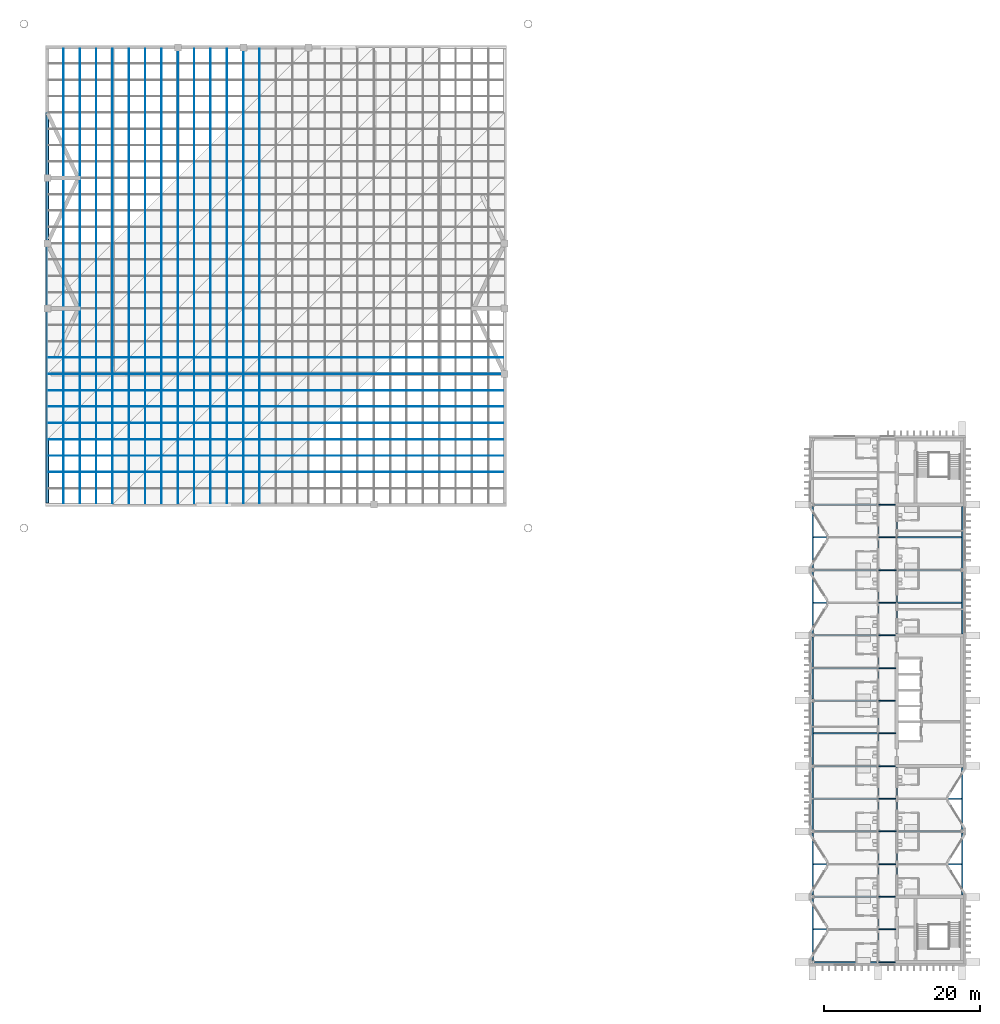
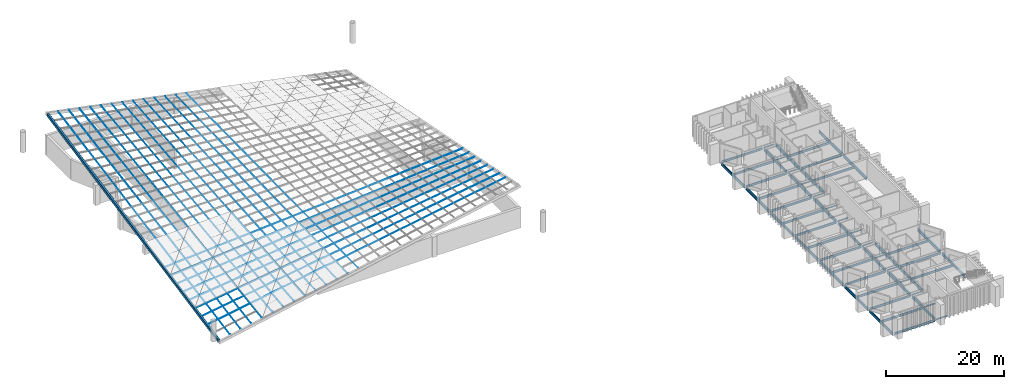
# One storey, part 8 of 20: 58 beams, 22 members.
"""IFC4 building model written with IfcOpenShell, lengths in metres."""

import ifcopenshell
import ifcopenshell.guid

model = None  # the IFC model being written
_history = None  # IfcOwnerHistory: only IFC2X3 demands one
_inside = {}  # id of a spatial element -> (the spatial element, [elements in it])
_under = {}  # id of a project, library or spatial element -> (it, [spatial elements below it])
_declared = {}  # id of a project -> (the project, [libraries it declares])
_typed = {}  # id of a type object -> (the type object, [elements of that type])
_made_of = {}  # id of a material, layer set ... -> (it, [elements and type objects made of it])


def new_model(schema):
    """Start an empty IFC model of exactly this schema.

    Asked for "IFC4X3", IfcOpenShell would pick the latest addendum, in which some entities
    have other attributes; the version numbers below select the first issue.
    IFC2X3 requires an IfcOwnerHistory on every rooted entity: one is made here for all.
    """
    global model, _history
    if schema == "IFC4X3":
        model = ifcopenshell.file(schema_version=(4, 3, 0, 0))
    else:
        model = ifcopenshell.file(schema=schema)
    _inside.clear()
    _under.clear()
    _declared.clear()
    _typed.clear()
    _made_of.clear()
    _history = None
    if model.schema == "IFC2X3":
        org = make("IfcOrganization", Name="unknown")
        user = make(
            "IfcPersonAndOrganization",
            ThePerson=make("IfcPerson", FamilyName="unknown"),
            TheOrganization=org,
        )
        app = make(
            "IfcApplication",
            ApplicationDeveloper=org,
            Version="unknown",
            ApplicationFullName="unknown",
            ApplicationIdentifier="unknown",
        )
        _history = make(
            "IfcOwnerHistory",
            OwningUser=user,
            OwningApplication=app,
            ChangeAction="ADDED",
            CreationDate=0,
        )
    return model


def make(cls, **values):
    """One entity of the class cls with the attributes given. An attribute that is None is left unset."""
    return model.create_entity(
        cls, **{name: value for name, value in values.items() if value is not None}
    )


def rooted(cls, **values):
    """An entity with a GlobalId (a new one), such as an element, a storey or a relation."""
    return make(cls, GlobalId=ifcopenshell.guid.new(), OwnerHistory=_history, **values)


def si_unit(unit_type, name, prefix=None):
    """IfcSIUnit, for example si_unit("LENGTHUNIT", "METRE", prefix="MILLI")."""
    return make("IfcSIUnit", UnitType=unit_type, Prefix=prefix, Name=name)


def assignment(units):
    """IfcUnitAssignment: the units of a project."""
    return None if units is None else make("IfcUnitAssignment", Units=units)


def point(xyz):
    """IfcCartesianPoint."""
    return None if xyz is None else make("IfcCartesianPoint", Coordinates=xyz)


def direction(xyz):
    """IfcDirection."""
    return None if xyz is None else make("IfcDirection", DirectionRatios=xyz)


def frame(location, z_axis=None, x_axis=None):
    """IfcAxis2Placement3D, a coordinate frame: its origin and axes. An axis left out is left unset."""
    return make(
        "IfcAxis2Placement3D",
        Location=point(location),
        Axis=direction(z_axis),
        RefDirection=direction(x_axis),
    )


def frame_2d(location, x_axis=None):
    """IfcAxis2Placement2D, a coordinate frame in the plane: its origin and x axis."""
    return make(
        "IfcAxis2Placement2D", Location=point(location), RefDirection=direction(x_axis)
    )


def origin():
    """The frame at (0, 0, 0) with its axes left unset."""
    return frame((0.0, 0.0, 0.0))


def origin_2d():
    """The frame at (0, 0) in the plane with its x axis left unset."""
    return frame_2d((0.0, 0.0))


def place(relative_to, where):
    """IfcLocalPlacement: puts the frame where relative to a parent placement (None: the world)."""
    return make(
        "IfcLocalPlacement", PlacementRelTo=relative_to, RelativePlacement=where
    )


def context(
    kind, dimensions, precision=None, world=None, true_north=None, identifier=None
):
    """IfcGeometricRepresentationContext, for example the 3D "Model" context."""
    return make(
        "IfcGeometricRepresentationContext",
        ContextIdentifier=identifier,
        ContextType=kind,
        CoordinateSpaceDimension=dimensions,
        Precision=precision,
        WorldCoordinateSystem=world,
        TrueNorth=true_north,
    )


def subcontext(parent, identifier, kind, view, scale=None):
    """IfcGeometricRepresentationSubContext, for example "Body" below "Model"."""
    return make(
        "IfcGeometricRepresentationSubContext",
        ContextIdentifier=identifier,
        ContextType=kind,
        ParentContext=parent,
        TargetScale=scale,
        TargetView=view,
    )


def project(units=None, contexts=None):
    """IfcProject with its units and contexts."""
    return rooted(
        "IfcProject",
        Name="project",
        RepresentationContexts=contexts,
        UnitsInContext=assignment(units),
    )


def spatial(cls, under=None, at=None, **own):
    """A site, building, storey or space (cls), placed at a placement, below another one or the project."""
    s = rooted(cls, ObjectPlacement=at, **own)
    if under is not None:
        _under.setdefault(under.id(), (under, []))[1].append(s)
    return s


def profile(cls, at=None, kind="AREA", **sizes):
    """A parametric profile (cls). Its sizes go by their IFC names, for example OverallWidth=200.0."""
    return make(cls, ProfileType=kind, Position=at, **sizes)


def hollow_rectangle(**sizes):
    """IfcRectangleHollowProfileDef."""
    return profile("IfcRectangleHollowProfileDef", **sizes)


def circle(**sizes):
    """IfcCircleProfileDef."""
    return profile("IfcCircleProfileDef", **sizes)


def i_section(**sizes):
    """IfcIShapeProfileDef."""
    return profile("IfcIShapeProfileDef", **sizes)


def extrude(swept, where, along, depth):
    """IfcExtrudedAreaSolid: the profile swept, set in the frame where, extruded along a direction by depth."""
    return make(
        "IfcExtrudedAreaSolid",
        SweptArea=swept,
        Position=where,
        ExtrudedDirection=direction(along),
        Depth=depth,
    )


def shape(context_of_items, identifier, shape_type, items):
    """IfcShapeRepresentation: the items that make up one representation, for example the "Body"."""
    return make(
        "IfcShapeRepresentation",
        ContextOfItems=context_of_items,
        RepresentationIdentifier=identifier,
        RepresentationType=shape_type,
        Items=items,
    )


def material(Name=None, Category=None):
    """IfcMaterial."""
    return make("IfcMaterial", Name=Name, Category=Category)


def material_profile(
    of_material, cross_section, Name=None, Category=None, Priority=None
):
    """IfcMaterialProfile: a cross section and its material."""
    return make(
        "IfcMaterialProfile",
        Name=Name,
        Material=of_material,
        Profile=cross_section,
        Priority=Priority,
        Category=Category,
    )


def profile_set(profiles, Name=None, composite=None):
    """IfcMaterialProfileSet."""
    return make(
        "IfcMaterialProfileSet",
        Name=Name,
        MaterialProfiles=profiles,
        CompositeProfile=composite,
    )


def made_of(thing, what):
    """Note that an element or type object is made of a material, layer set ...; save() writes the relation."""
    if what is not None:
        _made_of.setdefault(what.id(), (what, []))[1].append(thing)
    return thing


def type_object(cls, material=None, **own):
    """A type object (cls), such as IfcWallType, which elements share."""
    return made_of(rooted(cls, **own), material)


def element(
    cls,
    number,
    at=None,
    inside=None,
    cuts=None,
    type_object=None,
    material=None,
    context=None,
    identifier="Body",
    shape_type=None,
    held_by="IfcProductDefinitionShape",
    body=None,
    shapes=None,
    **own,
):
    """One element of the class cls, such as IfcWall. Its Tag is "e" and its number.

    at: its placement. inside: the storey or other place that contains it. cuts: it is an
    opening in that element (IfcRelVoidsElement). A single representation is given by context,
    identifier, shape_type and body (its items); several are given by shapes. held_by: the class
    of the entity that holds the representations. save() writes the other relations.
    """
    e = rooted(cls, Tag="e%d" % number, ObjectPlacement=at, **own)
    if body is not None:
        shapes = [shape(context, identifier, shape_type, body)]
    if shapes is not None:
        e.Representation = make(held_by, Representations=shapes)
    if inside is not None:
        _inside.setdefault(inside.id(), (inside, []))[1].append(e)
    if cuts is not None:
        rooted(
            "IfcRelVoidsElement", RelatingBuildingElement=cuts, RelatedOpeningElement=e
        )
    if type_object is not None:
        _typed.setdefault(type_object.id(), (type_object, []))[1].append(e)
    return made_of(e, material)


def aggregate(whole, parts):
    """IfcRelAggregates: a whole, such as a stair, and the parts it consists of."""
    return rooted("IfcRelAggregates", RelatingObject=whole, RelatedObjects=parts)


def save(model, path):
    """Write the relations noted so far, then the file.

    IfcRelAggregates (storeys below a building ...), IfcRelContainedInSpatialStructure (elements
    in a storey), IfcRelDefinesByType, IfcRelAssociatesMaterial and IfcRelDeclares: one each for
    every whole, place, type object, material and project.
    """
    for whole, parts in _under.values():
        aggregate(whole, parts)
    for where, things in _inside.values():
        rooted(
            "IfcRelContainedInSpatialStructure",
            RelatedElements=things,
            RelatingStructure=where,
        )
    for kind, things in _typed.values():
        rooted("IfcRelDefinesByType", RelatedObjects=things, RelatingType=kind)
    for what, things in _made_of.values():
        rooted("IfcRelAssociatesMaterial", RelatedObjects=things, RelatingMaterial=what)
    for by, libraries in _declared.values():
        rooted("IfcRelDeclares", RelatingContext=by, RelatedDefinitions=libraries)
    model.write(path)


model = new_model("IFC4")

# Units and contexts
model_context = context("Model", 3, precision=1e-05, world=origin(), true_north=direction((0.0, 1.0)))
body_context = subcontext(model_context, "Body", "Model", "MODEL_VIEW")
ifc_project = project(units=[si_unit("LENGTHUNIT", "METRE"), si_unit("AREAUNIT", "SQUARE_METRE"), si_unit("VOLUMEUNIT", "CUBIC_METRE"), si_unit("PLANEANGLEUNIT", "RADIAN"), si_unit("MASSUNIT", "GRAM", prefix="KILO")], contexts=[model_context])

# Site, building, storey
site_placement = place(None, origin())
site = spatial("IfcSite", under=ifc_project, at=site_placement, CompositionType="ELEMENT")
building_placement = place(site_placement, origin())
building = spatial("IfcBuilding", under=site, at=building_placement, Name="Cresset Court Congress Hotel", CompositionType="ELEMENT")
storey_placement = place(building_placement, frame((0.0, 0.0, 27.0)))
storey = spatial("IfcBuildingStorey", under=building, at=storey_placement, Name="L06", CompositionType="ELEMENT", Elevation=27.0)

# Members
ifc_material_1 = material(Name="Structural steel Q355B", Category="steel")
ifc_material_profile_1 = material_profile(ifc_material_1, circle(Radius=0.02392578125, at=origin_2d()), Name="CABLE48")
ifc_profile_set_1 = profile_set([ifc_material_profile_1], Name="Structural steel Q355B")
member_type_1 = type_object("IfcMemberType", Name="Net cable 48", PredefinedType="USERDEFINED", material=ifc_profile_set_1)
member_1_placement = place(storey_placement, frame((59.00390625, 63.0, -2.1220703125), z_axis=(0.98552620283, 0.0, 0.169523165188), x_axis=(0.0, 1.0, 0.0)))
element("IfcMember", 1, at=member_1_placement, inside=storey, type_object=member_type_1, Name="Net cable CB-X02", ObjectType="CABLE", PredefinedType="USERDEFINED", context=body_context, shape_type="SweptSolid", body=[
    extrude(circle(Radius=0.02392578125, at=origin_2d()), origin(), (0.0, 0.0, 1.0), 59.249755859375),
])
member_2_placement = place(storey_placement, frame((59.00390625, 65.10009765625, -1.70361328125), z_axis=(0.98779559324, 0.0, 0.155755789542), x_axis=(0.0, 1.0, 0.0)))
element("IfcMember", 2, at=member_2_placement, inside=storey, type_object=member_type_1, Name="Net cable CB-X03", ObjectType="CABLE", PredefinedType="USERDEFINED", context=body_context, shape_type="SweptSolid", body=[
    extrude(circle(Radius=0.02392578125, at=origin_2d()), origin(), (0.0, 0.0, 1.0), 59.113525390625),
])
member_3_placement = place(storey_placement, frame((59.00390625, 67.199951171875, -1.28515625), z_axis=(0.989882002412, 0.0, 0.141892992427), x_axis=(0.0, 1.0, 0.0)))
element("IfcMember", 3, at=member_3_placement, inside=storey, type_object=member_type_1, Name="Net cable CB-X04", ObjectType="CABLE", PredefinedType="USERDEFINED", context=body_context, shape_type="SweptSolid", body=[
    extrude(circle(Radius=0.02392578125, at=origin_2d()), origin(), (0.0, 0.0, 1.0), 58.989013671875),
])
member_4_placement = place(storey_placement, frame((59.00390625, 69.300048828125, -0.866455078125), z_axis=(0.99178110897, 0.0, 0.127946207018), x_axis=(0.0, 1.0, 0.0)))
element("IfcMember", 4, at=member_4_placement, inside=storey, type_object=member_type_1, Name="Net cable CB-X05", ObjectType="CABLE", PredefinedType="USERDEFINED", context=body_context, shape_type="SweptSolid", body=[
    extrude(circle(Radius=0.02392578125, at=origin_2d()), origin(), (0.0, 0.0, 1.0), 58.8759765625),
])
member_5_placement = place(storey_placement, frame((59.00390625, 71.39990234375, -0.447998046875), z_axis=(0.993489099968, 0.0, 0.113927205904), x_axis=(0.0, 1.0, 0.0)))
element("IfcMember", 5, at=member_5_placement, inside=storey, type_object=member_type_1, Name="Net cable CB-X06", ObjectType="CABLE", PredefinedType="USERDEFINED", context=body_context, shape_type="SweptSolid", body=[
    extrude(circle(Radius=0.02392578125, at=origin_2d()), origin(), (0.0, 0.0, 1.0), 58.774658203125),
])
member_6_placement = place(storey_placement, frame((59.00390625, 73.5, -0.029541015625), z_axis=(0.995003522598, 0.0, 0.099839821799), x_axis=(0.0, 1.0, 0.0)))
element("IfcMember", 6, at=member_6_placement, inside=storey, type_object=member_type_1, Name="Net cable CB-X07", ObjectType="CABLE", PredefinedType="USERDEFINED", context=body_context, shape_type="SweptSolid", body=[
    extrude(circle(Radius=0.02392578125, at=origin_2d()), origin(), (0.0, 0.0, 1.0), 58.685302734375),
])
member_7_placement = place(storey_placement, frame((59.00390625, 75.60009765625, 0.388916015625), z_axis=(0.996321663118, 0.0, 0.085692144347), x_axis=(0.0, 1.0, 0.0)))
element("IfcMember", 7, at=member_7_placement, inside=storey, type_object=member_type_1, Name="Net cable CB-X08", ObjectType="CABLE", PredefinedType="USERDEFINED", context=body_context, shape_type="SweptSolid", body=[
    extrude(circle(Radius=0.02392578125, at=origin_2d()), origin(), (0.0, 0.0, 1.0), 58.607666015625),
])
member_8_placement = place(storey_placement, frame((59.00390625, 77.699951171875, 0.807373046875), z_axis=(0.997441438818, 0.0, 0.071488293645), x_axis=(0.0, 1.0, 0.0)))
element("IfcMember", 8, at=member_8_placement, inside=storey, type_object=member_type_1, Name="Net cable CB-X09", ObjectType="CABLE", PredefinedType="USERDEFINED", context=body_context, shape_type="SweptSolid", body=[
    extrude(circle(Radius=0.02392578125, at=origin_2d()), origin(), (0.0, 0.0, 1.0), 58.5419921875),
])
member_9_placement = place(storey_placement, frame((60.89990234375, 59.00390625, -2.491455078125), z_axis=(0.0, 0.983077152498, 0.183192009205), x_axis=(-1.0, 0.0, 0.0)))
element("IfcMember", 9, at=member_9_placement, inside=storey, type_object=member_type_1, Name="Net cable CB-Y01", ObjectType="CABLE", PredefinedType="USERDEFINED", context=body_context, shape_type="SweptSolid", body=[
    extrude(circle(Radius=0.02392578125, at=origin_2d()), origin(), (0.0, 0.0, 1.0), 59.397216796875),
])
member_10_placement = place(storey_placement, frame((63.0, 59.00390625, -2.072998046875), z_axis=(0.0, 0.985526891239, 0.169519163059), x_axis=(-1.0, 0.0, 0.0)))
element("IfcMember", 10, at=member_10_placement, inside=storey, type_object=member_type_1, Name="Net cable CB-Y02", ObjectType="CABLE", PredefinedType="USERDEFINED", context=body_context, shape_type="SweptSolid", body=[
    extrude(circle(Radius=0.02392578125, at=origin_2d()), origin(), (0.0, 0.0, 1.0), 59.24951171875),
])
member_11_placement = place(storey_placement, frame((65.10009765625, 59.00390625, -1.654541015625), z_axis=(0.0, 0.987796228657, 0.155751759703), x_axis=(-1.0, 0.0, 0.0)))
element("IfcMember", 11, at=member_11_placement, inside=storey, type_object=member_type_1, Name="Net cable CB-Y03", ObjectType="CABLE", PredefinedType="USERDEFINED", context=body_context, shape_type="SweptSolid", body=[
    extrude(circle(Radius=0.02392578125, at=origin_2d()), origin(), (0.0, 0.0, 1.0), 59.113525390625),
])
member_12_placement = place(storey_placement, frame((67.199951171875, 59.00390625, -1.236083984375), z_axis=(0.0, 0.989882002412, 0.141892992427), x_axis=(-1.0, 0.0, 0.0)))
element("IfcMember", 12, at=member_12_placement, inside=storey, type_object=member_type_1, Name="Net cable CB-Y04", ObjectType="CABLE", PredefinedType="USERDEFINED", context=body_context, shape_type="SweptSolid", body=[
    extrude(circle(Radius=0.02392578125, at=origin_2d()), origin(), (0.0, 0.0, 1.0), 58.989013671875),
])
member_13_placement = place(storey_placement, frame((69.300048828125, 59.00390625, -0.817626953125), z_axis=(0.0, 0.991780582769, 0.127950285825), x_axis=(-1.0, 0.0, 0.0)))
element("IfcMember", 13, at=member_13_placement, inside=storey, type_object=member_type_1, Name="Net cable CB-Y05", ObjectType="CABLE", PredefinedType="USERDEFINED", context=body_context, shape_type="SweptSolid", body=[
    extrude(circle(Radius=0.02392578125, at=origin_2d()), origin(), (0.0, 0.0, 1.0), 58.8759765625),
])
member_14_placement = place(storey_placement, frame((71.39990234375, 59.00390625, -0.39892578125), z_axis=(0.0, 0.993489099968, 0.113927205904), x_axis=(-1.0, 0.0, 0.0)))
element("IfcMember", 14, at=member_14_placement, inside=storey, type_object=member_type_1, Name="Net cable CB-Y06", ObjectType="CABLE", PredefinedType="USERDEFINED", context=body_context, shape_type="SweptSolid", body=[
    extrude(circle(Radius=0.02392578125, at=origin_2d()), origin(), (0.0, 0.0, 1.0), 58.774658203125),
])
member_15_placement = place(storey_placement, frame((73.5, 59.00390625, 0.01953125), z_axis=(0.0, 0.995003935865, 0.099835703099), x_axis=(-1.0, 0.0, 0.0)))
element("IfcMember", 15, at=member_15_placement, inside=storey, type_object=member_type_1, Name="Net cable CB-Y07", ObjectType="CABLE", PredefinedType="USERDEFINED", context=body_context, shape_type="SweptSolid", body=[
    extrude(circle(Radius=0.02392578125, at=origin_2d()), origin(), (0.0, 0.0, 1.0), 58.685302734375),
])
member_16_placement = place(storey_placement, frame((75.60009765625, 59.00390625, 0.43798828125), z_axis=(0.0, 0.996322018762, 0.085688009257), x_axis=(-1.0, 0.0, 0.0)))
element("IfcMember", 16, at=member_16_placement, inside=storey, type_object=member_type_1, Name="Net cable CB-Y08", ObjectType="CABLE", PredefinedType="USERDEFINED", context=body_context, shape_type="SweptSolid", body=[
    extrude(circle(Radius=0.02392578125, at=origin_2d()), origin(), (0.0, 0.0, 1.0), 58.607666015625),
])
member_17_placement = place(storey_placement, frame((77.699951171875, 59.00390625, 0.8564453125), z_axis=(0.0, 0.997441438818, 0.071488293645), x_axis=(-1.0, 0.0, 0.0)))
element("IfcMember", 17, at=member_17_placement, inside=storey, type_object=member_type_1, Name="Net cable CB-Y09", ObjectType="CABLE", PredefinedType="USERDEFINED", context=body_context, shape_type="SweptSolid", body=[
    extrude(circle(Radius=0.02392578125, at=origin_2d()), origin(), (0.0, 0.0, 1.0), 58.5419921875),
])
member_18_placement = place(storey_placement, frame((79.800048828125, 59.00390625, 1.27490234375), z_axis=(0.0, 0.9983601615, 0.057244981707), x_axis=(-1.0, 0.0, 0.0)))
element("IfcMember", 18, at=member_18_placement, inside=storey, type_object=member_type_1, Name="Net cable CB-Y10", ObjectType="CABLE", PredefinedType="USERDEFINED", context=body_context, shape_type="SweptSolid", body=[
    extrude(circle(Radius=0.02392578125, at=origin_2d()), origin(), (0.0, 0.0, 1.0), 58.488037109375),
])
member_19_placement = place(storey_placement, frame((81.89990234375, 59.00390625, 1.693603515625), z_axis=(0.0, 0.999076687205, 0.042962461337), x_axis=(-1.0, 0.0, 0.0)))
element("IfcMember", 19, at=member_19_placement, inside=storey, type_object=member_type_1, Name="Net cable CB-Y11", ObjectType="CABLE", PredefinedType="USERDEFINED", context=body_context, shape_type="SweptSolid", body=[
    extrude(circle(Radius=0.02392578125, at=origin_2d()), origin(), (0.0, 0.0, 1.0), 58.446044921875),
])
member_20_placement = place(storey_placement, frame((84.0, 59.00390625, 2.112060546875), z_axis=(0.0, 0.999589402648, 0.028653553248), x_axis=(-1.0, 0.0, 0.0)))
element("IfcMember", 20, at=member_20_placement, inside=storey, type_object=member_type_1, Name="Net cable CB-Y12", ObjectType="CABLE", PredefinedType="USERDEFINED", context=body_context, shape_type="SweptSolid", body=[
    extrude(circle(Radius=0.02392578125, at=origin_2d()), origin(), (0.0, 0.0, 1.0), 58.416015625),
])
member_21_placement = place(storey_placement, frame((86.10009765625, 59.00390625, 2.530517578125), z_axis=(0.0, 0.999897303228, 0.014331189659), x_axis=(-1.0, 0.0, 0.0)))
element("IfcMember", 21, at=member_21_placement, inside=storey, type_object=member_type_1, Name="Net cable CB-Y13", ObjectType="CABLE", PredefinedType="USERDEFINED", context=body_context, shape_type="SweptSolid", body=[
    extrude(circle(Radius=0.02392578125, at=origin_2d()), origin(), (0.0, 0.0, 1.0), 58.398193359375),
])
ifc_material_2 = material(Name="Structural steel Q355B", Category="steel")
ifc_material_profile_2 = material_profile(ifc_material_2, hollow_rectangle(XDim=0.39990234375, YDim=0.60009765625, WallThickness=0.02490234375, InnerFilletRadius=0.012451171875, OuterFilletRadius=0.03759765625, at=origin_2d()), Name="RHS600x400x25")
ifc_profile_set_2 = profile_set([ifc_material_profile_2], Name="Structural steel Q355B")
member_type_2 = type_object("IfcMemberType", Name="Ring beam box 600x400x25", PredefinedType="USERDEFINED", material=ifc_profile_set_2)
member_22_placement = place(storey_placement, frame((58.800048828125, 117.340087890625, 8.5224609375), z_axis=(0.0, -0.98045171928, -0.196759818461), x_axis=(1.0, 0.0, 0.0)))
element("IfcMember", 22, at=member_22_placement, inside=storey, type_object=member_type_2, Name="Ring beam RB-W", ObjectType="RING BEAM", PredefinedType="USERDEFINED", context=body_context, shape_type="SweptSolid", body=[
    extrude(hollow_rectangle(XDim=0.39990234375, YDim=0.60009765625, WallThickness=0.02490234375, InnerFilletRadius=0.012451171875, OuterFilletRadius=0.03759765625, at=origin_2d()), origin(), (0.0, 0.0, 1.0), 59.442138671875),
])

# Beams
ifc_material_3 = material(Name="Structural steel Q355B", Category="steel")
ifc_material_profile_3 = material_profile(ifc_material_3, i_section(OverallWidth=0.198974609375, OverallDepth=0.446044921875, WebThickness=0.008056640625, FlangeThickness=0.011962890625, FilletRadius=0.012939453125, at=origin_2d()), Name="HN446x199x8x12")
ifc_profile_set_3 = profile_set([ifc_material_profile_3], Name="Structural steel Q355B")
beam_type_1 = type_object("IfcBeamType", Name="Steel beam HN446x199x8x12", PredefinedType="BEAM", material=ifc_profile_set_3)
beam_1_placement = place(storey_placement, frame((157.39990234375, 0.0, -0.373046875), z_axis=(1.0, 0.0, 0.0), x_axis=(0.0, 1.0, 0.0)))
element("IfcBeam", 23, at=beam_1_placement, inside=storey, type_object=beam_type_1, Name="A.bm.L06.W.frame0.0", PredefinedType="BEAM", context=body_context, shape_type="SweptSolid", body=[
    extrude(i_section(OverallWidth=0.198974609375, OverallDepth=0.446044921875, WebThickness=0.008056640625, FlangeThickness=0.011962890625, FilletRadius=0.012939453125, at=origin_2d()), origin(), (0.0, 0.0, 1.0), 8.0),
])
beam_2_placement = place(storey_placement, frame((157.300048828125, 4.199951171875, -0.373046875), z_axis=(1.0, 0.0, 0.0), x_axis=(0.0, 1.0, 0.0)))
element("IfcBeam", 24, at=beam_2_placement, inside=storey, type_object=beam_type_1, Name="A.bm.L06.W.mid.0", PredefinedType="BEAM", context=body_context, shape_type="SweptSolid", body=[
    extrude(i_section(OverallWidth=0.198974609375, OverallDepth=0.446044921875, WebThickness=0.008056640625, FlangeThickness=0.011962890625, FilletRadius=0.012939453125, at=origin_2d()), origin(), (0.0, 0.0, 1.0), 8.199951171875),
])
beam_3_placement = place(storey_placement, frame((157.39990234375, 8.39990234375, -0.373046875), z_axis=(1.0, 0.0, 0.0), x_axis=(0.0, 1.0, 0.0)))
element("IfcBeam", 25, at=beam_3_placement, inside=storey, type_object=beam_type_1, Name="A.bm.L06.W.frame0.1", PredefinedType="BEAM", context=body_context, shape_type="SweptSolid", body=[
    extrude(i_section(OverallWidth=0.198974609375, OverallDepth=0.446044921875, WebThickness=0.008056640625, FlangeThickness=0.011962890625, FilletRadius=0.012939453125, at=origin_2d()), origin(), (0.0, 0.0, 1.0), 8.0),
])
for number, where, z_axis, x_axis, name in (
    (26, (157.300048828125, 12.60009765625, -0.373046875), (1.0, 0.0, 0.0), (0.0, 1.0, 0.0), "A.bm.L06.W.mid.1"),
    (27, (168.10009765625, 12.60009765625, -0.373046875), (1.0, 0.0, 0.0), (0.0, 1.0, 0.0), "A.bm.L06.E.mid.1"),
):
    element("IfcBeam", number, at=place(storey_placement, frame(where, z_axis=z_axis, x_axis=x_axis)), inside=storey, type_object=beam_type_1, Name=name, PredefinedType="BEAM", context=body_context, shape_type="SweptSolid", body=[
        extrude(i_section(OverallWidth=0.198974609375, OverallDepth=0.446044921875, WebThickness=0.008056640625, FlangeThickness=0.011962890625, FilletRadius=0.012939453125, at=origin_2d()), origin(), (0.0, 0.0, 1.0), 8.199951171875),
    ])
for number, where, z_axis, x_axis, name in (
    (28, (157.39990234375, 16.800048828125, -0.373046875), (1.0, 0.0, 0.0), (0.0, 1.0, 0.0), "A.bm.L06.W.frame0.2"),
    (29, (168.199951171875, 16.800048828125, -0.373046875), (1.0, 0.0, 0.0), (0.0, 1.0, 0.0), "A.bm.L06.E.frame0.2"),
):
    element("IfcBeam", number, at=place(storey_placement, frame(where, z_axis=z_axis, x_axis=x_axis)), inside=storey, type_object=beam_type_1, Name=name, PredefinedType="BEAM", context=body_context, shape_type="SweptSolid", body=[
        extrude(i_section(OverallWidth=0.198974609375, OverallDepth=0.446044921875, WebThickness=0.008056640625, FlangeThickness=0.011962890625, FilletRadius=0.012939453125, at=origin_2d()), origin(), (0.0, 0.0, 1.0), 8.0),
    ])
for number, where, z_axis, x_axis, name in (
    (30, (157.300048828125, 21.0, -0.373046875), (1.0, 0.0, 0.0), (0.0, 1.0, 0.0), "A.bm.L06.W.mid.2"),
    (31, (168.10009765625, 21.0, -0.373046875), (1.0, 0.0, 0.0), (0.0, 1.0, 0.0), "A.bm.L06.E.mid.2"),
):
    element("IfcBeam", number, at=place(storey_placement, frame(where, z_axis=z_axis, x_axis=x_axis)), inside=storey, type_object=beam_type_1, Name=name, PredefinedType="BEAM", context=body_context, shape_type="SweptSolid", body=[
        extrude(i_section(OverallWidth=0.198974609375, OverallDepth=0.446044921875, WebThickness=0.008056640625, FlangeThickness=0.011962890625, FilletRadius=0.012939453125, at=origin_2d()), origin(), (0.0, 0.0, 1.0), 8.199951171875),
    ])
beam_4_placement = place(storey_placement, frame((157.39990234375, 25.199951171875, -0.373046875), z_axis=(1.0, 0.0, 0.0), x_axis=(0.0, 1.0, 0.0)))
element("IfcBeam", 32, at=beam_4_placement, inside=storey, type_object=beam_type_1, Name="A.bm.L06.W.frame0.3", PredefinedType="BEAM", context=body_context, shape_type="SweptSolid", body=[
    extrude(i_section(OverallWidth=0.198974609375, OverallDepth=0.446044921875, WebThickness=0.008056640625, FlangeThickness=0.011962890625, FilletRadius=0.012939453125, at=origin_2d()), origin(), (0.0, 0.0, 1.0), 8.0),
])
beam_5_placement = place(storey_placement, frame((157.300048828125, 29.39990234375, -0.373046875), z_axis=(1.0, 0.0, 0.0), x_axis=(0.0, 1.0, 0.0)))
element("IfcBeam", 33, at=beam_5_placement, inside=storey, type_object=beam_type_1, Name="A.bm.L06.W.mid.3", PredefinedType="BEAM", context=body_context, shape_type="SweptSolid", body=[
    extrude(i_section(OverallWidth=0.198974609375, OverallDepth=0.446044921875, WebThickness=0.008056640625, FlangeThickness=0.011962890625, FilletRadius=0.012939453125, at=origin_2d()), origin(), (0.0, 0.0, 1.0), 8.199951171875),
])
beam_6_placement = place(storey_placement, frame((157.39990234375, 33.60009765625, -0.373046875), z_axis=(1.0, 0.0, 0.0), x_axis=(0.0, 1.0, 0.0)))
element("IfcBeam", 34, at=beam_6_placement, inside=storey, type_object=beam_type_1, Name="A.bm.L06.W.frame0.4", PredefinedType="BEAM", context=body_context, shape_type="SweptSolid", body=[
    extrude(i_section(OverallWidth=0.198974609375, OverallDepth=0.446044921875, WebThickness=0.008056640625, FlangeThickness=0.011962890625, FilletRadius=0.012939453125, at=origin_2d()), origin(), (0.0, 0.0, 1.0), 8.0),
])
beam_7_placement = place(storey_placement, frame((157.300048828125, 37.800048828125, -0.373046875), z_axis=(1.0, 0.0, 0.0), x_axis=(0.0, 1.0, 0.0)))
element("IfcBeam", 35, at=beam_7_placement, inside=storey, type_object=beam_type_1, Name="A.bm.L06.W.mid.4", PredefinedType="BEAM", context=body_context, shape_type="SweptSolid", body=[
    extrude(i_section(OverallWidth=0.198974609375, OverallDepth=0.446044921875, WebThickness=0.008056640625, FlangeThickness=0.011962890625, FilletRadius=0.012939453125, at=origin_2d()), origin(), (0.0, 0.0, 1.0), 8.199951171875),
])
beam_8_placement = place(storey_placement, frame((157.39990234375, 42.0, -0.373046875), z_axis=(1.0, 0.0, 0.0), x_axis=(0.0, 1.0, 0.0)))
element("IfcBeam", 36, at=beam_8_placement, inside=storey, type_object=beam_type_1, Name="A.bm.L06.W.frame0.5", PredefinedType="BEAM", context=body_context, shape_type="SweptSolid", body=[
    extrude(i_section(OverallWidth=0.198974609375, OverallDepth=0.446044921875, WebThickness=0.008056640625, FlangeThickness=0.011962890625, FilletRadius=0.012939453125, at=origin_2d()), origin(), (0.0, 0.0, 1.0), 8.0),
])
for number, where, z_axis, x_axis, name in (
    (37, (157.300048828125, 46.199951171875, -0.373046875), (1.0, 0.0, 0.0), (0.0, 1.0, 0.0), "A.bm.L06.W.mid.5"),
    (38, (168.10009765625, 46.199951171875, -0.373046875), (1.0, 0.0, 0.0), (0.0, 1.0, 0.0), "A.bm.L06.E.mid.5"),
):
    element("IfcBeam", number, at=place(storey_placement, frame(where, z_axis=z_axis, x_axis=x_axis)), inside=storey, type_object=beam_type_1, Name=name, PredefinedType="BEAM", context=body_context, shape_type="SweptSolid", body=[
        extrude(i_section(OverallWidth=0.198974609375, OverallDepth=0.446044921875, WebThickness=0.008056640625, FlangeThickness=0.011962890625, FilletRadius=0.012939453125, at=origin_2d()), origin(), (0.0, 0.0, 1.0), 8.199951171875),
    ])
for number, where, z_axis, x_axis, name in (
    (39, (157.39990234375, 50.39990234375, -0.373046875), (1.0, 0.0, 0.0), (0.0, 1.0, 0.0), "A.bm.L06.W.frame0.6"),
    (40, (168.199951171875, 50.39990234375, -0.373046875), (1.0, 0.0, 0.0), (0.0, 1.0, 0.0), "A.bm.L06.E.frame0.6"),
):
    element("IfcBeam", number, at=place(storey_placement, frame(where, z_axis=z_axis, x_axis=x_axis)), inside=storey, type_object=beam_type_1, Name=name, PredefinedType="BEAM", context=body_context, shape_type="SweptSolid", body=[
        extrude(i_section(OverallWidth=0.198974609375, OverallDepth=0.446044921875, WebThickness=0.008056640625, FlangeThickness=0.011962890625, FilletRadius=0.012939453125, at=origin_2d()), origin(), (0.0, 0.0, 1.0), 8.0),
    ])
for number, where, z_axis, x_axis, name in (
    (41, (157.300048828125, 54.60009765625, -0.373046875), (1.0, 0.0, 0.0), (0.0, 1.0, 0.0), "A.bm.L06.W.mid.6"),
    (42, (168.10009765625, 54.60009765625, -0.373046875), (1.0, 0.0, 0.0), (0.0, 1.0, 0.0), "A.bm.L06.E.mid.6"),
):
    element("IfcBeam", number, at=place(storey_placement, frame(where, z_axis=z_axis, x_axis=x_axis)), inside=storey, type_object=beam_type_1, Name=name, PredefinedType="BEAM", context=body_context, shape_type="SweptSolid", body=[
        extrude(i_section(OverallWidth=0.198974609375, OverallDepth=0.446044921875, WebThickness=0.008056640625, FlangeThickness=0.011962890625, FilletRadius=0.012939453125, at=origin_2d()), origin(), (0.0, 0.0, 1.0), 8.199951171875),
    ])
beam_9_placement = place(storey_placement, frame((157.39990234375, 58.800048828125, -0.373046875), z_axis=(1.0, 0.0, 0.0), x_axis=(0.0, 1.0, 0.0)))
element("IfcBeam", 43, at=beam_9_placement, inside=storey, type_object=beam_type_1, Name="A.bm.L06.W.frame0.7", PredefinedType="BEAM", context=body_context, shape_type="SweptSolid", body=[
    extrude(i_section(OverallWidth=0.198974609375, OverallDepth=0.446044921875, WebThickness=0.008056640625, FlangeThickness=0.011962890625, FilletRadius=0.012939453125, at=origin_2d()), origin(), (0.0, 0.0, 1.0), 8.0),
])
ifc_material_4 = material(Name="Structural steel Q355B", Category="steel")
ifc_material_profile_4 = material_profile(ifc_material_4, i_section(OverallWidth=0.125, OverallDepth=0.25, WebThickness=0.006103515625, FlangeThickness=0.009033203125, FilletRadius=0.012939453125, at=origin_2d()), Name="HN250x125x6x9")
ifc_profile_set_4 = profile_set([ifc_material_profile_4], Name="Structural steel Q355B")
beam_type_2 = type_object("IfcBeamType", Name="Steel corridor beam HN250x125x6x9", PredefinedType="BEAM", material=ifc_profile_set_4)
beam_10_placement = place(storey_placement, frame((165.6064453125, 0.0, -0.27490234375), z_axis=(1.0, 0.0, 0.0), x_axis=(0.0, 1.0, 0.0)))
element("IfcBeam", 44, at=beam_10_placement, inside=storey, type_object=beam_type_2, Name="A.bm.L06.C.frame0.0", PredefinedType="BEAM", context=body_context, shape_type="SweptSolid", body=[
    extrude(i_section(OverallWidth=0.125, OverallDepth=0.25, WebThickness=0.006103515625, FlangeThickness=0.009033203125, FilletRadius=0.012939453125, at=origin_2d()), origin(), (0.0, 0.0, 1.0), 2.193603515625),
])
beam_11_placement = place(storey_placement, frame((165.699951171875, 4.199951171875, -0.27490234375), z_axis=(1.0, 0.0, 0.0), x_axis=(0.0, 1.0, 0.0)))
element("IfcBeam", 45, at=beam_11_placement, inside=storey, type_object=beam_type_2, Name="A.bm.L06.C.mid.0", PredefinedType="BEAM", context=body_context, shape_type="SweptSolid", body=[
    extrude(i_section(OverallWidth=0.125, OverallDepth=0.25, WebThickness=0.006103515625, FlangeThickness=0.009033203125, FilletRadius=0.012939453125, at=origin_2d()), origin(), (0.0, 0.0, 1.0), 2.199951171875),
])
beam_12_placement = place(storey_placement, frame((165.6064453125, 8.39990234375, -0.27490234375), z_axis=(1.0, 0.0, 0.0), x_axis=(0.0, 1.0, 0.0)))
element("IfcBeam", 46, at=beam_12_placement, inside=storey, type_object=beam_type_2, Name="A.bm.L06.C.frame0.1", PredefinedType="BEAM", context=body_context, shape_type="SweptSolid", body=[
    extrude(i_section(OverallWidth=0.125, OverallDepth=0.25, WebThickness=0.006103515625, FlangeThickness=0.009033203125, FilletRadius=0.012939453125, at=origin_2d()), origin(), (0.0, 0.0, 1.0), 2.193603515625),
])
beam_13_placement = place(storey_placement, frame((165.699951171875, 12.60009765625, -0.27490234375), z_axis=(1.0, 0.0, 0.0), x_axis=(0.0, 1.0, 0.0)))
element("IfcBeam", 47, at=beam_13_placement, inside=storey, type_object=beam_type_2, Name="A.bm.L06.C.mid.1", PredefinedType="BEAM", context=body_context, shape_type="SweptSolid", body=[
    extrude(i_section(OverallWidth=0.125, OverallDepth=0.25, WebThickness=0.006103515625, FlangeThickness=0.009033203125, FilletRadius=0.012939453125, at=origin_2d()), origin(), (0.0, 0.0, 1.0), 2.199951171875),
])
beam_14_placement = place(storey_placement, frame((165.6064453125, 16.800048828125, -0.27490234375), z_axis=(1.0, 0.0, 0.0), x_axis=(0.0, 1.0, 0.0)))
element("IfcBeam", 48, at=beam_14_placement, inside=storey, type_object=beam_type_2, Name="A.bm.L06.C.frame0.2", PredefinedType="BEAM", context=body_context, shape_type="SweptSolid", body=[
    extrude(i_section(OverallWidth=0.125, OverallDepth=0.25, WebThickness=0.006103515625, FlangeThickness=0.009033203125, FilletRadius=0.012939453125, at=origin_2d()), origin(), (0.0, 0.0, 1.0), 2.386962890625),
])
beam_15_placement = place(storey_placement, frame((165.699951171875, 21.0, -0.27490234375), z_axis=(1.0, 0.0, 0.0), x_axis=(0.0, 1.0, 0.0)))
element("IfcBeam", 49, at=beam_15_placement, inside=storey, type_object=beam_type_2, Name="A.bm.L06.C.mid.2", PredefinedType="BEAM", context=body_context, shape_type="SweptSolid", body=[
    extrude(i_section(OverallWidth=0.125, OverallDepth=0.25, WebThickness=0.006103515625, FlangeThickness=0.009033203125, FilletRadius=0.012939453125, at=origin_2d()), origin(), (0.0, 0.0, 1.0), 2.199951171875),
])
beam_16_placement = place(storey_placement, frame((165.6064453125, 25.199951171875, -0.27490234375), z_axis=(1.0, 0.0, 0.0), x_axis=(0.0, 1.0, 0.0)))
element("IfcBeam", 50, at=beam_16_placement, inside=storey, type_object=beam_type_2, Name="A.bm.L06.C.frame0.3", PredefinedType="BEAM", context=body_context, shape_type="SweptSolid", body=[
    extrude(i_section(OverallWidth=0.125, OverallDepth=0.25, WebThickness=0.006103515625, FlangeThickness=0.009033203125, FilletRadius=0.012939453125, at=origin_2d()), origin(), (0.0, 0.0, 1.0), 2.193603515625),
])
beam_17_placement = place(storey_placement, frame((165.699951171875, 29.39990234375, -0.27490234375), z_axis=(1.0, 0.0, 0.0), x_axis=(0.0, 1.0, 0.0)))
element("IfcBeam", 51, at=beam_17_placement, inside=storey, type_object=beam_type_2, Name="A.bm.L06.C.mid.3", PredefinedType="BEAM", context=body_context, shape_type="SweptSolid", body=[
    extrude(i_section(OverallWidth=0.125, OverallDepth=0.25, WebThickness=0.006103515625, FlangeThickness=0.009033203125, FilletRadius=0.012939453125, at=origin_2d()), origin(), (0.0, 0.0, 1.0), 2.199951171875),
])
beam_18_placement = place(storey_placement, frame((165.6064453125, 33.60009765625, -0.27490234375), z_axis=(1.0, 0.0, 0.0), x_axis=(0.0, 1.0, 0.0)))
element("IfcBeam", 52, at=beam_18_placement, inside=storey, type_object=beam_type_2, Name="A.bm.L06.C.frame0.4", PredefinedType="BEAM", context=body_context, shape_type="SweptSolid", body=[
    extrude(i_section(OverallWidth=0.125, OverallDepth=0.25, WebThickness=0.006103515625, FlangeThickness=0.009033203125, FilletRadius=0.012939453125, at=origin_2d()), origin(), (0.0, 0.0, 1.0), 2.193603515625),
])
beam_19_placement = place(storey_placement, frame((165.699951171875, 37.800048828125, -0.27490234375), z_axis=(1.0, 0.0, 0.0), x_axis=(0.0, 1.0, 0.0)))
element("IfcBeam", 53, at=beam_19_placement, inside=storey, type_object=beam_type_2, Name="A.bm.L06.C.mid.4", PredefinedType="BEAM", context=body_context, shape_type="SweptSolid", body=[
    extrude(i_section(OverallWidth=0.125, OverallDepth=0.25, WebThickness=0.006103515625, FlangeThickness=0.009033203125, FilletRadius=0.012939453125, at=origin_2d()), origin(), (0.0, 0.0, 1.0), 2.199951171875),
])
beam_20_placement = place(storey_placement, frame((165.6064453125, 42.0, -0.27490234375), z_axis=(1.0, 0.0, 0.0), x_axis=(0.0, 1.0, 0.0)))
element("IfcBeam", 54, at=beam_20_placement, inside=storey, type_object=beam_type_2, Name="A.bm.L06.C.frame0.5", PredefinedType="BEAM", context=body_context, shape_type="SweptSolid", body=[
    extrude(i_section(OverallWidth=0.125, OverallDepth=0.25, WebThickness=0.006103515625, FlangeThickness=0.009033203125, FilletRadius=0.012939453125, at=origin_2d()), origin(), (0.0, 0.0, 1.0), 2.193603515625),
])
beam_21_placement = place(storey_placement, frame((165.699951171875, 46.199951171875, -0.27490234375), z_axis=(1.0, 0.0, 0.0), x_axis=(0.0, 1.0, 0.0)))
element("IfcBeam", 55, at=beam_21_placement, inside=storey, type_object=beam_type_2, Name="A.bm.L06.C.mid.5", PredefinedType="BEAM", context=body_context, shape_type="SweptSolid", body=[
    extrude(i_section(OverallWidth=0.125, OverallDepth=0.25, WebThickness=0.006103515625, FlangeThickness=0.009033203125, FilletRadius=0.012939453125, at=origin_2d()), origin(), (0.0, 0.0, 1.0), 2.199951171875),
])
beam_22_placement = place(storey_placement, frame((165.6064453125, 50.39990234375, -0.27490234375), z_axis=(1.0, 0.0, 0.0), x_axis=(0.0, 1.0, 0.0)))
element("IfcBeam", 56, at=beam_22_placement, inside=storey, type_object=beam_type_2, Name="A.bm.L06.C.frame0.6", PredefinedType="BEAM", context=body_context, shape_type="SweptSolid", body=[
    extrude(i_section(OverallWidth=0.125, OverallDepth=0.25, WebThickness=0.006103515625, FlangeThickness=0.009033203125, FilletRadius=0.012939453125, at=origin_2d()), origin(), (0.0, 0.0, 1.0), 2.386962890625),
])
beam_23_placement = place(storey_placement, frame((165.699951171875, 54.60009765625, -0.27490234375), z_axis=(1.0, 0.0, 0.0), x_axis=(0.0, 1.0, 0.0)))
element("IfcBeam", 57, at=beam_23_placement, inside=storey, type_object=beam_type_2, Name="A.bm.L06.C.mid.6", PredefinedType="BEAM", context=body_context, shape_type="SweptSolid", body=[
    extrude(i_section(OverallWidth=0.125, OverallDepth=0.25, WebThickness=0.006103515625, FlangeThickness=0.009033203125, FilletRadius=0.012939453125, at=origin_2d()), origin(), (0.0, 0.0, 1.0), 2.199951171875),
])
beam_24_placement = place(storey_placement, frame((165.6064453125, 58.800048828125, -0.27490234375), z_axis=(1.0, 0.0, 0.0), x_axis=(0.0, 1.0, 0.0)))
element("IfcBeam", 58, at=beam_24_placement, inside=storey, type_object=beam_type_2, Name="A.bm.L06.C.frame0.7", PredefinedType="BEAM", context=body_context, shape_type="SweptSolid", body=[
    extrude(i_section(OverallWidth=0.125, OverallDepth=0.25, WebThickness=0.006103515625, FlangeThickness=0.009033203125, FilletRadius=0.012939453125, at=origin_2d()), origin(), (0.0, 0.0, 1.0), 2.193603515625),
])
ifc_material_5 = material(Name="Structural steel Q355B", Category="steel")
ifc_material_profile_5 = material_profile(ifc_material_5, i_section(OverallWidth=0.199951171875, OverallDepth=0.60009765625, WebThickness=0.010986328125, FlangeThickness=0.01708984375, FilletRadius=0.012939453125, at=origin_2d()), Name="HN600x200x11x17")
ifc_profile_set_5 = profile_set([ifc_material_profile_5], Name="Structural steel Q355B")
beam_type_3 = type_object("IfcBeamType", Name="Steel girder HN600x200x11x17", PredefinedType="BEAM", material=ifc_profile_set_5)
for number, where, z_axis, x_axis, name in (
    (59, (157.199951171875, 0.199951171875, -0.449951171875), (0.0, 1.0, 0.0), (-1.0, 0.0, 0.0), "A.gir.L06.0.0"),
    (60, (157.199951171875, 8.60009765625, -0.449951171875), (0.0, 1.0, 0.0), (-1.0, 0.0, 0.0), "A.gir.L06.0.1"),
    (61, (157.199951171875, 17.0, -0.449951171875), (0.0, 1.0, 0.0), (-1.0, 0.0, 0.0), "A.gir.L06.0.2"),
    (62, (157.199951171875, 25.39990234375, -0.449951171875), (0.0, 1.0, 0.0), (-1.0, 0.0, 0.0), "A.gir.L06.0.3"),
    (63, (157.199951171875, 33.800048828125, -0.449951171875), (0.0, 1.0, 0.0), (-1.0, 0.0, 0.0), "A.gir.L06.0.4"),
    (64, (157.199951171875, 42.199951171875, -0.449951171875), (0.0, 1.0, 0.0), (-1.0, 0.0, 0.0), "A.gir.L06.0.5"),
    (65, (157.199951171875, 50.60009765625, -0.449951171875), (0.0, 1.0, 0.0), (-1.0, 0.0, 0.0), "A.gir.L06.0.6"),
    (66, (165.60009765625, 0.199951171875, -0.449951171875), (0.0, 1.0, 0.0), (-1.0, 0.0, 0.0), "A.gir.L06.1.0"),
    (67, (165.60009765625, 8.60009765625, -0.449951171875), (0.0, 1.0, 0.0), (-1.0, 0.0, 0.0), "A.gir.L06.1.1"),
    (68, (165.60009765625, 17.0, -0.449951171875), (0.0, 1.0, 0.0), (-1.0, 0.0, 0.0), "A.gir.L06.1.2"),
    (69, (165.60009765625, 25.39990234375, -0.449951171875), (0.0, 1.0, 0.0), (-1.0, 0.0, 0.0), "A.gir.L06.1.3"),
    (70, (165.60009765625, 33.800048828125, -0.449951171875), (0.0, 1.0, 0.0), (-1.0, 0.0, 0.0), "A.gir.L06.1.4"),
    (71, (165.60009765625, 42.199951171875, -0.449951171875), (0.0, 1.0, 0.0), (-1.0, 0.0, 0.0), "A.gir.L06.1.5"),
    (72, (165.60009765625, 50.60009765625, -0.449951171875), (0.0, 1.0, 0.0), (-1.0, 0.0, 0.0), "A.gir.L06.1.6"),
    (73, (168.0, 8.60009765625, -0.449951171875), (0.0, 1.0, 0.0), (-1.0, 0.0, 0.0), "A.gir.L06.2.1"),
    (74, (168.0, 17.0, -0.449951171875), (0.0, 1.0, 0.0), (-1.0, 0.0, 0.0), "A.gir.L06.2.2"),
    (75, (168.0, 42.199951171875, -0.449951171875), (0.0, 1.0, 0.0), (-1.0, 0.0, 0.0), "A.gir.L06.2.5"),
    (76, (168.0, 50.60009765625, -0.449951171875), (0.0, 1.0, 0.0), (-1.0, 0.0, 0.0), "A.gir.L06.2.6"),
    (77, (176.39990234375, 8.60009765625, -0.449951171875), (0.0, 1.0, 0.0), (-1.0, 0.0, 0.0), "A.gir.L06.3.1"),
    (78, (176.39990234375, 17.0, -0.449951171875), (0.0, 1.0, 0.0), (-1.0, 0.0, 0.0), "A.gir.L06.3.2"),
    (79, (176.39990234375, 42.199951171875, -0.449951171875), (0.0, 1.0, 0.0), (-1.0, 0.0, 0.0), "A.gir.L06.3.5"),
    (80, (176.39990234375, 50.60009765625, -0.449951171875), (0.0, 1.0, 0.0), (-1.0, 0.0, 0.0), "A.gir.L06.3.6"),
):
    element("IfcBeam", number, at=place(storey_placement, frame(where, z_axis=z_axis, x_axis=x_axis)), inside=storey, type_object=beam_type_3, Name=name, PredefinedType="BEAM", context=body_context, shape_type="SweptSolid", body=[
        extrude(i_section(OverallWidth=0.199951171875, OverallDepth=0.60009765625, WebThickness=0.010986328125, FlangeThickness=0.01708984375, FilletRadius=0.012939453125, at=origin_2d()), origin(), (0.0, 0.0, 1.0), 8.0),
    ])

save(model, "model.ifc")
